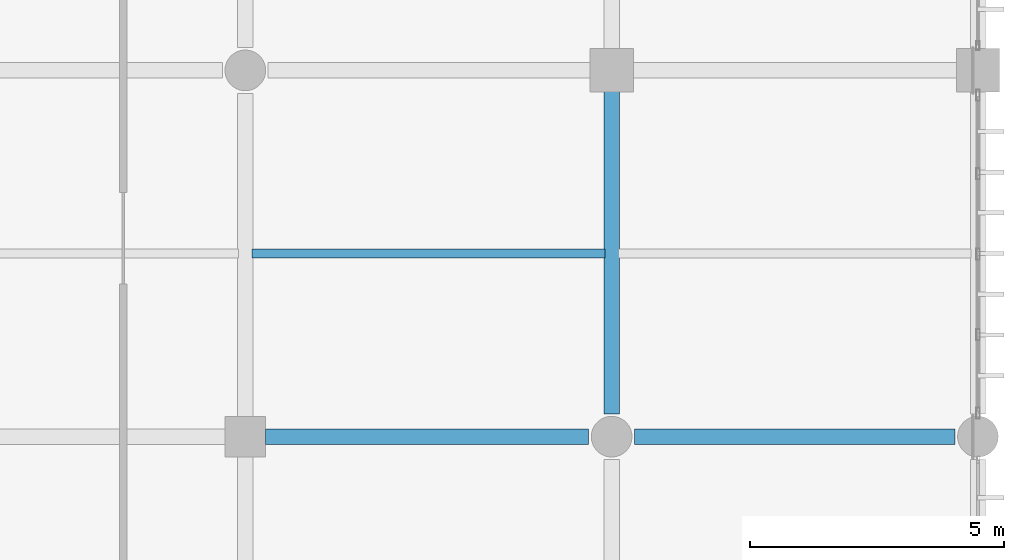
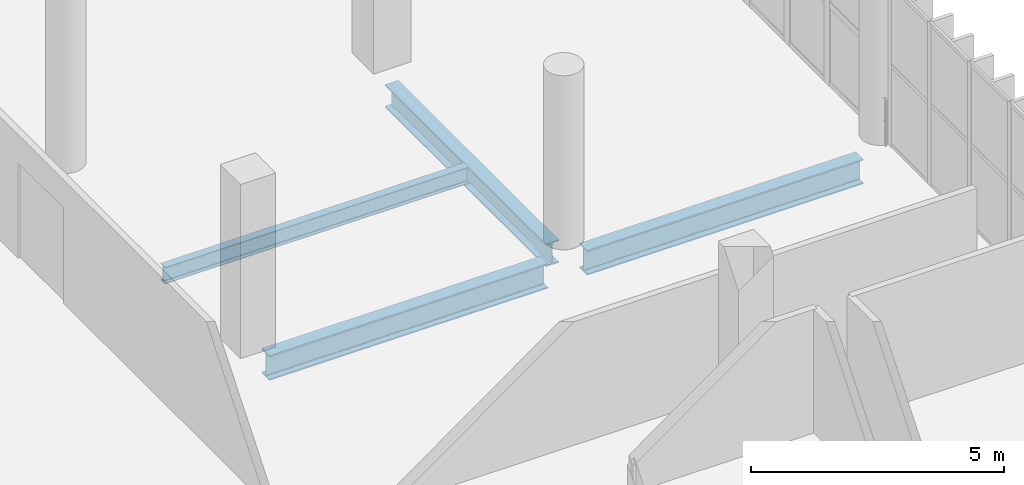
# One storey, part 85 of 153: 4 beams.
"""IFC4 building model written with IfcOpenShell, lengths in metres."""

from ifc_helpers import new_model, si_unit, direction, frame, origin, origin_2d, place, context, subcontext, project, spatial, i_section, extrude, material, material_profile, profile_set, type_object, element, save


model = new_model("IFC4")

# Units and contexts
model_context = context("Model", 3, precision=1e-05, world=origin(), true_north=direction((0.0, 1.0)))
body_context = subcontext(model_context, "Body", "Model", "MODEL_VIEW")
ifc_project = project(units=[si_unit("LENGTHUNIT", "METRE"), si_unit("AREAUNIT", "SQUARE_METRE"), si_unit("VOLUMEUNIT", "CUBIC_METRE"), si_unit("PLANEANGLEUNIT", "RADIAN"), si_unit("MASSUNIT", "GRAM", prefix="KILO")], contexts=[model_context])

# Site, building, storey
site_placement = place(None, origin())
site = spatial("IfcSite", under=ifc_project, at=site_placement, CompositionType="ELEMENT")
building_placement = place(site_placement, origin())
building = spatial("IfcBuilding", under=site, at=building_placement, Name="Qandorah Velis Arena", CompositionType="ELEMENT")
storey_placement = place(building_placement, frame((0.0, 0.0, 5.39990234375)))
storey = spatial("IfcBuildingStorey", under=building, at=storey_placement, Name="L01", CompositionType="ELEMENT", Elevation=5.39990234375)

# Beams
ifc_material = material(Name="Steel S355", Category="steel")
ifc_material_profile_1 = material_profile(ifc_material, i_section(OverallWidth=0.300048828125, OverallDepth=0.550048828125, WebThickness=0.014892578125, FlangeThickness=0.029052734375, FilletRadius=0.027099609375, at=origin_2d()), Name="HEB 550")
ifc_profile_set_1 = profile_set([ifc_material_profile_1], Name="Steel S355")
beam_type_1 = type_object("IfcBeamType", Name="STR-BM-HEB550", PredefinedType="BEAM", material=ifc_profile_set_1)
beam_1_placement = place(storey_placement, frame((165.60009765625, 65.25, -0.635009765625), z_axis=(0.0, 1.0, 0.0), x_axis=(-1.0, 0.0, 0.0)))
element("IfcBeam", 1, at=beam_1_placement, inside=storey, type_object=beam_type_1, Name="Primary floor girder L01 Y-417", PredefinedType="BEAM", context=body_context, shape_type="SweptSolid", body=[
    extrude(i_section(OverallWidth=0.300048828125, OverallDepth=0.550048828125, WebThickness=0.014892578125, FlangeThickness=0.029052734375, FilletRadius=0.027099609375, at=origin_2d()), origin(), (0.0, 0.0, 1.0), 6.35009765625),
])
ifc_material_profile_2 = material_profile(ifc_material, i_section(OverallWidth=0.300048828125, OverallDepth=0.60009765625, WebThickness=0.015380859375, FlangeThickness=0.030029296875, FilletRadius=0.027099609375, at=origin_2d()), Name="HEB 600")
ifc_profile_set_2 = profile_set([ifc_material_profile_2], Name="Steel S355")
beam_type_2 = type_object("IfcBeamType", Name="STR-BM-HEB600", PredefinedType="BEAM", material=ifc_profile_set_2)
beam_2_placement = place(storey_placement, frame((158.800048828125, 64.800048828125, -0.659912109375), z_axis=(1.0, 0.0, 0.0), x_axis=(0.0, 1.0, 0.0)))
element("IfcBeam", 2, at=beam_2_placement, inside=storey, type_object=beam_type_2, Name="Primary floor girder L01 X-114", PredefinedType="BEAM", context=body_context, shape_type="SweptSolid", body=[
    extrude(i_section(OverallWidth=0.300048828125, OverallDepth=0.60009765625, WebThickness=0.015380859375, FlangeThickness=0.030029296875, FilletRadius=0.027099609375, at=origin_2d()), origin(), (0.0, 0.0, 1.0), 6.349853515625),
])
beam_3_placement = place(storey_placement, frame((166.050048828125, 64.800048828125, -0.659912109375), z_axis=(1.0, 0.0, 0.0), x_axis=(0.0, 1.0, 0.0)))
element("IfcBeam", 3, at=beam_3_placement, inside=storey, type_object=beam_type_2, Name="Primary floor girder L01 X-115", PredefinedType="BEAM", context=body_context, shape_type="SweptSolid", body=[
    extrude(i_section(OverallWidth=0.300048828125, OverallDepth=0.60009765625, WebThickness=0.015380859375, FlangeThickness=0.030029296875, FilletRadius=0.027099609375, at=origin_2d()), origin(), (0.0, 0.0, 1.0), 6.300048828125),
])
ifc_material_profile_3 = material_profile(ifc_material, i_section(OverallWidth=0.179931640625, OverallDepth=0.39990234375, WebThickness=0.008544921875, FlangeThickness=0.013427734375, FilletRadius=0.02099609375, at=origin_2d()), Name="IPE 400")
ifc_profile_set_3 = profile_set([ifc_material_profile_3], Name="Steel S355")
beam_type_3 = type_object("IfcBeamType", Name="STR-JST-IPE400", PredefinedType="JOIST", material=ifc_profile_set_3)
beam_4_placement = place(storey_placement, frame((158.534912109375, 68.39990234375, -0.559814453125), z_axis=(1.0, 0.0, 0.0), x_axis=(0.0, 1.0, 0.0)))
element("IfcBeam", 4, at=beam_4_placement, inside=storey, type_object=beam_type_3, Name="Secondary floor joist L01-150", PredefinedType="JOIST", context=body_context, shape_type="SweptSolid", body=[
    extrude(i_section(OverallWidth=0.179931640625, OverallDepth=0.39990234375, WebThickness=0.008544921875, FlangeThickness=0.013427734375, FilletRadius=0.02099609375, at=origin_2d()), origin(), (0.0, 0.0, 1.0), 6.93017578125),
])

save(model, "model.ifc")
